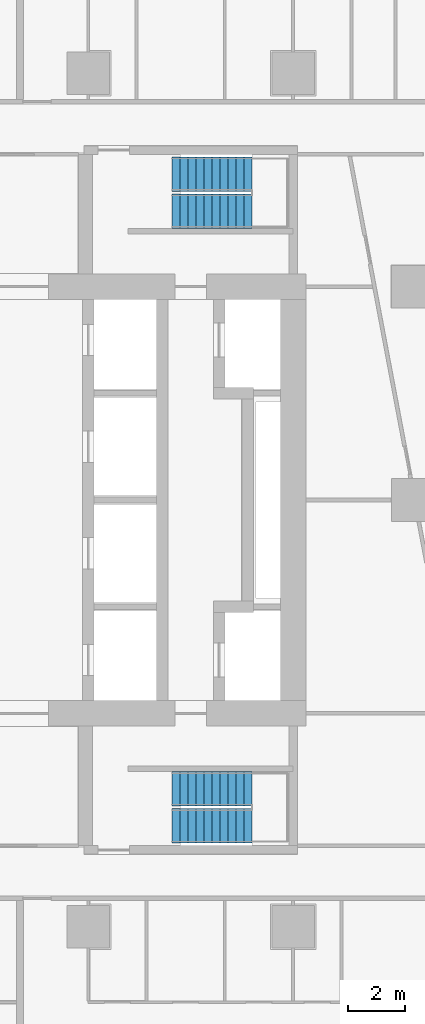
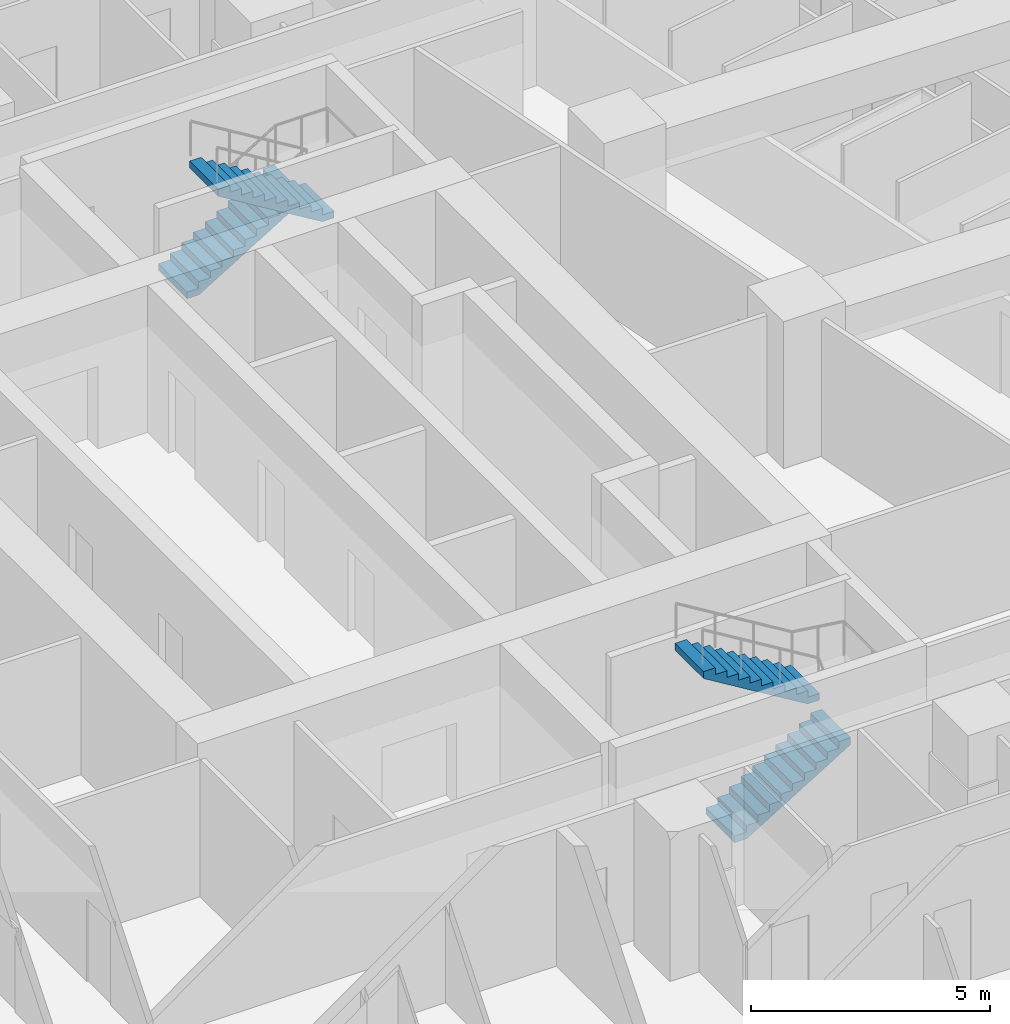
# One storey, part 13 of 15: 4 stair flights, 2 elements without a shape of their own.
"""IFC4 building model written with IfcOpenShell, lengths in metres."""

from ifc_helpers import new_model, si_unit, direction, frame, origin, place, context, subcontext, project, spatial, triangles, material, type_object, element, aggregate, save


model = new_model("IFC4")

# Units and contexts
model_context = context("Model", 3, precision=1e-05, world=origin(), true_north=direction((0.0, 1.0)))
body_context = subcontext(model_context, "Body", "Model", "MODEL_VIEW")
ifc_project = project(units=[si_unit("LENGTHUNIT", "METRE"), si_unit("AREAUNIT", "SQUARE_METRE"), si_unit("VOLUMEUNIT", "CUBIC_METRE"), si_unit("PLANEANGLEUNIT", "RADIAN"), si_unit("MASSUNIT", "GRAM", prefix="KILO")], contexts=[model_context])

# Site, building, storey
site_placement = place(None, origin())
site = spatial("IfcSite", under=ifc_project, at=site_placement, CompositionType="ELEMENT")
building_placement = place(site_placement, origin())
building = spatial("IfcBuilding", under=site, at=building_placement, Name="Sheger Commons Tower", CompositionType="ELEMENT")
storey_placement = place(building_placement, frame((0.0, 0.0, 162.050048828125)))
storey = spatial("IfcBuildingStorey", under=building, at=storey_placement, Name="L41", CompositionType="ELEMENT", Elevation=162.050048828125)

# Stair, stair flights
ifc_material_1 = material(Name="Concrete C35/45", Category="concrete")
stair_type = type_object("IfcStairType", Name="HALF-TURN STAIR 1200 RISE 3750", PredefinedType="HALF_TURN_STAIR", material=ifc_material_1)
stair_1_placement = place(storey_placement, origin())
stair_1 = element("IfcStair", 1, at=stair_1_placement, inside=storey, type_object=stair_type, Name="Stair S1 L41", PredefinedType="HALF_TURN_STAIR")
ifc_material_2 = material(Name="Concrete C35/45", Category="concrete")
stair_flight_type = type_object("IfcStairFlightType", Name="STAIR FLIGHT 1200 11 RISERS OF 170", PredefinedType="STRAIGHT", material=ifc_material_2)
stair_flight_1_placement = place(storey_placement, frame((24.550048828125, 11.050048828125, 0.0), z_axis=(0.0, 0.0, 1.0), x_axis=(1.0, 0.0, 0.0)))
stair_flight_1 = element("IfcStairFlight", 2, at=stair_flight_1_placement, type_object=stair_flight_type, Name="S1 flight 1", NumberOfRisers=11, NumberOfTreads=10, PredefinedType="STRAIGHT", RiserHeight=0.170454545, TreadLength=0.28, context=body_context, shape_type="Tessellation", body=[
    triangles([(0.0, 0.5999755859375, 0.0), (0.0, 0.5999755859375, 0.17041015625), (0.280029296875, 0.5999755859375, 0.17041015625), (0.280029296875, 0.5999755859375, 0.3408203125), (0.56005859375, 0.5999755859375, 0.3408203125), (0.56005859375, 0.5999755859375, 0.511474609375), (0.840087890625, 0.5999755859375, 0.511474609375), (0.840087890625, 0.5999755859375, 0.681884765625), (1.1201171875, 0.5999755859375, 0.681884765625), (1.1201171875, 0.5999755859375, 0.852294921875), (1.39990234375, 0.5999755859375, 0.852294921875), (1.39990234375, 0.5999755859375, 1.022705078125), (1.679931640625, 0.5999755859375, 1.022705078125), (1.679931640625, 0.5999755859375, 1.193115234375), (1.9599609375, 0.5999755859375, 1.193115234375), (1.9599609375, 0.5999755859375, 1.363525390625), (2.239990234375, 0.5999755859375, 1.363525390625), (2.239990234375, 0.5999755859375, 1.5341796875), (2.52001953125, 0.5999755859375, 1.5341796875), (2.52001953125, 0.5999755859375, 1.70458984375), (2.800048828125, 0.5999755859375, 1.70458984375), (2.800048828125, 0.5999755859375, 1.529052734375), (0.288330078125, 0.5999755859375, 0.0), (0.0, -0.5999755859375, 0.0), (0.0, -0.5999755859375, 0.17041015625), (0.280029296875, -0.5999755859375, 0.17041015625), (0.280029296875, -0.5999755859375, 0.3408203125), (0.56005859375, -0.5999755859375, 0.3408203125), (0.56005859375, -0.5999755859375, 0.511474609375), (0.840087890625, -0.5999755859375, 0.511474609375), (0.840087890625, -0.5999755859375, 0.681884765625), (1.1201171875, -0.5999755859375, 0.681884765625), (1.1201171875, -0.5999755859375, 0.852294921875), (1.39990234375, -0.5999755859375, 0.852294921875), (1.39990234375, -0.5999755859375, 1.022705078125), (1.679931640625, -0.5999755859375, 1.022705078125), (1.679931640625, -0.5999755859375, 1.193115234375), (1.9599609375, -0.5999755859375, 1.193115234375), (1.9599609375, -0.5999755859375, 1.363525390625), (2.239990234375, -0.5999755859375, 1.363525390625), (2.239990234375, -0.5999755859375, 1.5341796875), (2.52001953125, -0.5999755859375, 1.5341796875), (2.52001953125, -0.5999755859375, 1.70458984375), (2.800048828125, -0.5999755859375, 1.70458984375), (2.800048828125, -0.5999755859375, 1.529052734375), (0.288330078125, -0.5999755859375, 0.0), (0.0, 0.0, 0.085205078125), (0.1400146484375, 0.0, 0.17041015625), (0.280029296875, 0.0, 0.255615234375), (0.4200439453125, 0.0, 0.3408203125), (0.56005859375, 0.0, 0.4261474609375), (0.7000732421875, 0.0, 0.511474609375), (0.840087890625, 0.0, 0.5966796875), (0.9801025390625, 0.0, 0.681884765625), (1.1201171875, 0.0, 0.76708984375), (1.260009765625, 0.0, 0.852294921875), (1.39990234375, 0.0, 0.9375), (1.5399169921875, 0.0, 1.022705078125), (1.679931640625, 0.0, 1.10791015625), (1.8199462890625, 0.0, 1.193115234375), (1.9599609375, 0.0, 1.2783203125), (2.0999755859375, 0.0, 1.363525390625), (2.239990234375, 0.0, 1.4488525390625), (2.3800048828125, 0.0, 1.5341796875), (2.52001953125, 0.0, 1.619384765625), (2.6600341796875, 0.0, 1.70458984375), (2.800048828125, 0.0, 1.6168212890625), (1.544189453125, 0.0, 0.7645263671875), (0.1441650390625, 0.0, 0.0)], [[1, 22, 23], [24, 46, 45], [22, 20, 21], [45, 44, 43], [22, 19, 20], [45, 43, 42], [22, 18, 19], [45, 42, 41], [22, 17, 18], [45, 41, 40], [17, 15, 16], [40, 39, 38], [22, 15, 17], [45, 40, 38], [15, 13, 14], [38, 37, 36], [22, 13, 15], [45, 38, 36], [13, 11, 12], [36, 35, 34], [22, 11, 13], [45, 36, 34], [11, 9, 10], [34, 33, 32], [22, 9, 11], [45, 34, 32], [9, 7, 8], [32, 31, 30], [22, 7, 9], [45, 32, 30], [7, 5, 6], [30, 29, 28], [22, 5, 7], [45, 30, 28], [5, 3, 4], [28, 27, 26], [22, 3, 5], [45, 28, 26], [1, 3, 22], [24, 45, 26], [3, 1, 2], [26, 25, 24], [1, 47, 2], [2, 47, 25], [25, 47, 24], [24, 47, 1], [2, 48, 3], [3, 48, 26], [26, 48, 25], [25, 48, 2], [3, 49, 4], [4, 49, 27], [27, 49, 26], [26, 49, 3], [4, 50, 5], [5, 50, 28], [28, 50, 27], [27, 50, 4], [5, 51, 6], [6, 51, 29], [29, 51, 28], [28, 51, 5], [6, 52, 7], [7, 52, 30], [30, 52, 29], [29, 52, 6], [7, 53, 8], [8, 53, 31], [31, 53, 30], [30, 53, 7], [8, 54, 9], [9, 54, 32], [32, 54, 31], [31, 54, 8], [9, 55, 10], [10, 55, 33], [33, 55, 32], [32, 55, 9], [10, 56, 11], [11, 56, 34], [34, 56, 33], [33, 56, 10], [11, 57, 12], [12, 57, 35], [35, 57, 34], [34, 57, 11], [12, 58, 13], [13, 58, 36], [36, 58, 35], [35, 58, 12], [13, 59, 14], [14, 59, 37], [37, 59, 36], [36, 59, 13], [14, 60, 15], [15, 60, 38], [38, 60, 37], [37, 60, 14], [15, 61, 16], [16, 61, 39], [39, 61, 38], [38, 61, 15], [16, 62, 17], [17, 62, 40], [40, 62, 39], [39, 62, 16], [17, 63, 18], [18, 63, 41], [41, 63, 40], [40, 63, 17], [18, 64, 19], [19, 64, 42], [42, 64, 41], [41, 64, 18], [19, 65, 20], [20, 65, 43], [43, 65, 42], [42, 65, 19], [20, 66, 21], [21, 66, 44], [44, 66, 43], [43, 66, 20], [21, 67, 22], [22, 67, 45], [45, 67, 44], [44, 67, 21], [22, 68, 23], [23, 68, 46], [46, 68, 45], [45, 68, 22], [23, 69, 1], [1, 69, 24], [24, 69, 46], [46, 69, 23]], closed=True),
])
stair_flight_2_placement = place(storey_placement, frame((27.35009765625, 12.35009765625, 1.875), z_axis=(0.0, 0.0, 1.0), x_axis=(-1.0, 0.0, 0.0)))
stair_flight_2 = element("IfcStairFlight", 3, at=stair_flight_2_placement, type_object=stair_flight_type, Name="S1 flight 2", NumberOfRisers=11, NumberOfTreads=10, PredefinedType="STRAIGHT", RiserHeight=0.170454545, TreadLength=0.28, context=body_context, shape_type="Tessellation", body=[
    triangles([(0.0, 0.5999755859375, 0.0), (0.0, 0.5999755859375, 0.17041015625), (0.280029296875, 0.5999755859375, 0.17041015625), (0.280029296875, 0.5999755859375, 0.3408203125), (0.56005859375, 0.5999755859375, 0.3408203125), (0.56005859375, 0.5999755859375, 0.511474609375), (0.840087890625, 0.5999755859375, 0.511474609375), (0.840087890625, 0.5999755859375, 0.681884765625), (1.1201171875, 0.5999755859375, 0.681884765625), (1.1201171875, 0.5999755859375, 0.852294921875), (1.39990234375, 0.5999755859375, 0.852294921875), (1.39990234375, 0.5999755859375, 1.022705078125), (1.679931640625, 0.5999755859375, 1.022705078125), (1.679931640625, 0.5999755859375, 1.193115234375), (1.9599609375, 0.5999755859375, 1.193115234375), (1.9599609375, 0.5999755859375, 1.363525390625), (2.239990234375, 0.5999755859375, 1.363525390625), (2.239990234375, 0.5999755859375, 1.5341796875), (2.52001953125, 0.5999755859375, 1.5341796875), (2.52001953125, 0.5999755859375, 1.70458984375), (2.800048828125, 0.5999755859375, 1.70458984375), (2.800048828125, 0.5999755859375, 1.529052734375), (0.288330078125, 0.5999755859375, 0.0), (0.0, -0.5999755859375, 0.0), (0.0, -0.5999755859375, 0.17041015625), (0.280029296875, -0.5999755859375, 0.17041015625), (0.280029296875, -0.5999755859375, 0.3408203125), (0.56005859375, -0.5999755859375, 0.3408203125), (0.56005859375, -0.5999755859375, 0.511474609375), (0.840087890625, -0.5999755859375, 0.511474609375), (0.840087890625, -0.5999755859375, 0.681884765625), (1.1201171875, -0.5999755859375, 0.681884765625), (1.1201171875, -0.5999755859375, 0.852294921875), (1.39990234375, -0.5999755859375, 0.852294921875), (1.39990234375, -0.5999755859375, 1.022705078125), (1.679931640625, -0.5999755859375, 1.022705078125), (1.679931640625, -0.5999755859375, 1.193115234375), (1.9599609375, -0.5999755859375, 1.193115234375), (1.9599609375, -0.5999755859375, 1.363525390625), (2.239990234375, -0.5999755859375, 1.363525390625), (2.239990234375, -0.5999755859375, 1.5341796875), (2.52001953125, -0.5999755859375, 1.5341796875), (2.52001953125, -0.5999755859375, 1.70458984375), (2.800048828125, -0.5999755859375, 1.70458984375), (2.800048828125, -0.5999755859375, 1.529052734375), (0.288330078125, -0.5999755859375, 0.0), (0.0, 0.0, 0.085205078125), (0.1400146484375, 0.0, 0.17041015625), (0.280029296875, 0.0, 0.255615234375), (0.4200439453125, 0.0, 0.3408203125), (0.56005859375, 0.0, 0.4261474609375), (0.7000732421875, 0.0, 0.511474609375), (0.840087890625, 0.0, 0.5966796875), (0.9801025390625, 0.0, 0.681884765625), (1.1201171875, 0.0, 0.76708984375), (1.260009765625, 0.0, 0.852294921875), (1.39990234375, 0.0, 0.9375), (1.5399169921875, 0.0, 1.022705078125), (1.679931640625, 0.0, 1.10791015625), (1.8199462890625, 0.0, 1.193115234375), (1.9599609375, 0.0, 1.2783203125), (2.0999755859375, 0.0, 1.363525390625), (2.239990234375, 0.0, 1.4488525390625), (2.3800048828125, 0.0, 1.5341796875), (2.52001953125, 0.0, 1.619384765625), (2.6600341796875, 0.0, 1.70458984375), (2.800048828125, 0.0, 1.6168212890625), (1.544189453125, 0.0, 0.7645263671875), (0.1441650390625, 0.0, 0.0)], [[1, 22, 23], [24, 46, 45], [22, 20, 21], [45, 44, 43], [22, 19, 20], [45, 43, 42], [22, 18, 19], [45, 42, 41], [22, 17, 18], [45, 41, 40], [17, 15, 16], [40, 39, 38], [22, 15, 17], [45, 40, 38], [15, 13, 14], [38, 37, 36], [22, 13, 15], [45, 38, 36], [13, 11, 12], [36, 35, 34], [22, 11, 13], [45, 36, 34], [11, 9, 10], [34, 33, 32], [22, 9, 11], [45, 34, 32], [9, 7, 8], [32, 31, 30], [22, 7, 9], [45, 32, 30], [7, 5, 6], [30, 29, 28], [22, 5, 7], [45, 30, 28], [5, 3, 4], [28, 27, 26], [22, 3, 5], [45, 28, 26], [1, 3, 22], [24, 45, 26], [3, 1, 2], [26, 25, 24], [1, 47, 2], [2, 47, 25], [25, 47, 24], [24, 47, 1], [2, 48, 3], [3, 48, 26], [26, 48, 25], [25, 48, 2], [3, 49, 4], [4, 49, 27], [27, 49, 26], [26, 49, 3], [4, 50, 5], [5, 50, 28], [28, 50, 27], [27, 50, 4], [5, 51, 6], [6, 51, 29], [29, 51, 28], [28, 51, 5], [6, 52, 7], [7, 52, 30], [30, 52, 29], [29, 52, 6], [7, 53, 8], [8, 53, 31], [31, 53, 30], [30, 53, 7], [8, 54, 9], [9, 54, 32], [32, 54, 31], [31, 54, 8], [9, 55, 10], [10, 55, 33], [33, 55, 32], [32, 55, 9], [10, 56, 11], [11, 56, 34], [34, 56, 33], [33, 56, 10], [11, 57, 12], [12, 57, 35], [35, 57, 34], [34, 57, 11], [12, 58, 13], [13, 58, 36], [36, 58, 35], [35, 58, 12], [13, 59, 14], [14, 59, 37], [37, 59, 36], [36, 59, 13], [14, 60, 15], [15, 60, 38], [38, 60, 37], [37, 60, 14], [15, 61, 16], [16, 61, 39], [39, 61, 38], [38, 61, 15], [16, 62, 17], [17, 62, 40], [40, 62, 39], [39, 62, 16], [17, 63, 18], [18, 63, 41], [41, 63, 40], [40, 63, 17], [18, 64, 19], [19, 64, 42], [42, 64, 41], [41, 64, 18], [19, 65, 20], [20, 65, 43], [43, 65, 42], [42, 65, 19], [20, 66, 21], [21, 66, 44], [44, 66, 43], [43, 66, 20], [21, 67, 22], [22, 67, 45], [45, 67, 44], [44, 67, 21], [22, 68, 23], [23, 68, 46], [46, 68, 45], [45, 68, 22], [23, 69, 1], [1, 69, 24], [24, 69, 46], [46, 69, 23]], closed=True),
])
aggregate(stair_1, [stair_flight_1, stair_flight_2])

stair_2_placement = place(storey_placement, origin())
stair_2 = element("IfcStair", 4, at=stair_2_placement, inside=storey, type_object=stair_type, Name="Stair S2 L41", PredefinedType="HALF_TURN_STAIR")
stair_flight_3_placement = place(storey_placement, frame((24.550048828125, 33.949951171875, 0.0), z_axis=(0.0, 0.0, 1.0), x_axis=(1.0, 0.0, 0.0)))
stair_flight_3 = element("IfcStairFlight", 5, at=stair_flight_3_placement, type_object=stair_flight_type, Name="S2 flight 1", NumberOfRisers=11, NumberOfTreads=10, PredefinedType="STRAIGHT", RiserHeight=0.170454545, TreadLength=0.28, context=body_context, shape_type="Tessellation", body=[
    triangles([(0.0, 0.5999755859375, 0.0), (0.0, 0.5999755859375, 0.17041015625), (0.280029296875, 0.5999755859375, 0.17041015625), (0.280029296875, 0.5999755859375, 0.3408203125), (0.56005859375, 0.5999755859375, 0.3408203125), (0.56005859375, 0.5999755859375, 0.511474609375), (0.840087890625, 0.5999755859375, 0.511474609375), (0.840087890625, 0.5999755859375, 0.681884765625), (1.1201171875, 0.5999755859375, 0.681884765625), (1.1201171875, 0.5999755859375, 0.852294921875), (1.39990234375, 0.5999755859375, 0.852294921875), (1.39990234375, 0.5999755859375, 1.022705078125), (1.679931640625, 0.5999755859375, 1.022705078125), (1.679931640625, 0.5999755859375, 1.193115234375), (1.9599609375, 0.5999755859375, 1.193115234375), (1.9599609375, 0.5999755859375, 1.363525390625), (2.239990234375, 0.5999755859375, 1.363525390625), (2.239990234375, 0.5999755859375, 1.5341796875), (2.52001953125, 0.5999755859375, 1.5341796875), (2.52001953125, 0.5999755859375, 1.70458984375), (2.800048828125, 0.5999755859375, 1.70458984375), (2.800048828125, 0.5999755859375, 1.529052734375), (0.288330078125, 0.5999755859375, 0.0), (0.0, -0.5999755859375, 0.0), (0.0, -0.5999755859375, 0.17041015625), (0.280029296875, -0.5999755859375, 0.17041015625), (0.280029296875, -0.5999755859375, 0.3408203125), (0.56005859375, -0.5999755859375, 0.3408203125), (0.56005859375, -0.5999755859375, 0.511474609375), (0.840087890625, -0.5999755859375, 0.511474609375), (0.840087890625, -0.5999755859375, 0.681884765625), (1.1201171875, -0.5999755859375, 0.681884765625), (1.1201171875, -0.5999755859375, 0.852294921875), (1.39990234375, -0.5999755859375, 0.852294921875), (1.39990234375, -0.5999755859375, 1.022705078125), (1.679931640625, -0.5999755859375, 1.022705078125), (1.679931640625, -0.5999755859375, 1.193115234375), (1.9599609375, -0.5999755859375, 1.193115234375), (1.9599609375, -0.5999755859375, 1.363525390625), (2.239990234375, -0.5999755859375, 1.363525390625), (2.239990234375, -0.5999755859375, 1.5341796875), (2.52001953125, -0.5999755859375, 1.5341796875), (2.52001953125, -0.5999755859375, 1.70458984375), (2.800048828125, -0.5999755859375, 1.70458984375), (2.800048828125, -0.5999755859375, 1.529052734375), (0.288330078125, -0.5999755859375, 0.0), (0.0, 0.0, 0.085205078125), (0.1400146484375, 0.0, 0.17041015625), (0.280029296875, 0.0, 0.255615234375), (0.4200439453125, 0.0, 0.3408203125), (0.56005859375, 0.0, 0.4261474609375), (0.7000732421875, 0.0, 0.511474609375), (0.840087890625, 0.0, 0.5966796875), (0.9801025390625, 0.0, 0.681884765625), (1.1201171875, 0.0, 0.76708984375), (1.260009765625, 0.0, 0.852294921875), (1.39990234375, 0.0, 0.9375), (1.5399169921875, 0.0, 1.022705078125), (1.679931640625, 0.0, 1.10791015625), (1.8199462890625, 0.0, 1.193115234375), (1.9599609375, 0.0, 1.2783203125), (2.0999755859375, 0.0, 1.363525390625), (2.239990234375, 0.0, 1.4488525390625), (2.3800048828125, 0.0, 1.5341796875), (2.52001953125, 0.0, 1.619384765625), (2.6600341796875, 0.0, 1.70458984375), (2.800048828125, 0.0, 1.6168212890625), (1.544189453125, 0.0, 0.7645263671875), (0.1441650390625, 0.0, 0.0)], [[1, 22, 23], [24, 46, 45], [22, 20, 21], [45, 44, 43], [22, 19, 20], [45, 43, 42], [22, 18, 19], [45, 42, 41], [22, 17, 18], [45, 41, 40], [17, 15, 16], [40, 39, 38], [22, 15, 17], [45, 40, 38], [15, 13, 14], [38, 37, 36], [22, 13, 15], [45, 38, 36], [13, 11, 12], [36, 35, 34], [22, 11, 13], [45, 36, 34], [11, 9, 10], [34, 33, 32], [22, 9, 11], [45, 34, 32], [9, 7, 8], [32, 31, 30], [22, 7, 9], [45, 32, 30], [7, 5, 6], [30, 29, 28], [22, 5, 7], [45, 30, 28], [5, 3, 4], [28, 27, 26], [22, 3, 5], [45, 28, 26], [1, 3, 22], [24, 45, 26], [3, 1, 2], [26, 25, 24], [1, 47, 2], [2, 47, 25], [25, 47, 24], [24, 47, 1], [2, 48, 3], [3, 48, 26], [26, 48, 25], [25, 48, 2], [3, 49, 4], [4, 49, 27], [27, 49, 26], [26, 49, 3], [4, 50, 5], [5, 50, 28], [28, 50, 27], [27, 50, 4], [5, 51, 6], [6, 51, 29], [29, 51, 28], [28, 51, 5], [6, 52, 7], [7, 52, 30], [30, 52, 29], [29, 52, 6], [7, 53, 8], [8, 53, 31], [31, 53, 30], [30, 53, 7], [8, 54, 9], [9, 54, 32], [32, 54, 31], [31, 54, 8], [9, 55, 10], [10, 55, 33], [33, 55, 32], [32, 55, 9], [10, 56, 11], [11, 56, 34], [34, 56, 33], [33, 56, 10], [11, 57, 12], [12, 57, 35], [35, 57, 34], [34, 57, 11], [12, 58, 13], [13, 58, 36], [36, 58, 35], [35, 58, 12], [13, 59, 14], [14, 59, 37], [37, 59, 36], [36, 59, 13], [14, 60, 15], [15, 60, 38], [38, 60, 37], [37, 60, 14], [15, 61, 16], [16, 61, 39], [39, 61, 38], [38, 61, 15], [16, 62, 17], [17, 62, 40], [40, 62, 39], [39, 62, 16], [17, 63, 18], [18, 63, 41], [41, 63, 40], [40, 63, 17], [18, 64, 19], [19, 64, 42], [42, 64, 41], [41, 64, 18], [19, 65, 20], [20, 65, 43], [43, 65, 42], [42, 65, 19], [20, 66, 21], [21, 66, 44], [44, 66, 43], [43, 66, 20], [21, 67, 22], [22, 67, 45], [45, 67, 44], [44, 67, 21], [22, 68, 23], [23, 68, 46], [46, 68, 45], [45, 68, 22], [23, 69, 1], [1, 69, 24], [24, 69, 46], [46, 69, 23]], closed=True),
])
stair_flight_4_placement = place(storey_placement, frame((27.35009765625, 32.64990234375, 1.875), z_axis=(0.0, 0.0, 1.0), x_axis=(-1.0, 0.0, 0.0)))
stair_flight_4 = element("IfcStairFlight", 6, at=stair_flight_4_placement, type_object=stair_flight_type, Name="S2 flight 2", NumberOfRisers=11, NumberOfTreads=10, PredefinedType="STRAIGHT", RiserHeight=0.170454545, TreadLength=0.28, context=body_context, shape_type="Tessellation", body=[
    triangles([(0.0, 0.5999755859375, 0.0), (0.0, 0.5999755859375, 0.17041015625), (0.280029296875, 0.5999755859375, 0.17041015625), (0.280029296875, 0.5999755859375, 0.3408203125), (0.56005859375, 0.5999755859375, 0.3408203125), (0.56005859375, 0.5999755859375, 0.511474609375), (0.840087890625, 0.5999755859375, 0.511474609375), (0.840087890625, 0.5999755859375, 0.681884765625), (1.1201171875, 0.5999755859375, 0.681884765625), (1.1201171875, 0.5999755859375, 0.852294921875), (1.39990234375, 0.5999755859375, 0.852294921875), (1.39990234375, 0.5999755859375, 1.022705078125), (1.679931640625, 0.5999755859375, 1.022705078125), (1.679931640625, 0.5999755859375, 1.193115234375), (1.9599609375, 0.5999755859375, 1.193115234375), (1.9599609375, 0.5999755859375, 1.363525390625), (2.239990234375, 0.5999755859375, 1.363525390625), (2.239990234375, 0.5999755859375, 1.5341796875), (2.52001953125, 0.5999755859375, 1.5341796875), (2.52001953125, 0.5999755859375, 1.70458984375), (2.800048828125, 0.5999755859375, 1.70458984375), (2.800048828125, 0.5999755859375, 1.529052734375), (0.288330078125, 0.5999755859375, 0.0), (0.0, -0.5999755859375, 0.0), (0.0, -0.5999755859375, 0.17041015625), (0.280029296875, -0.5999755859375, 0.17041015625), (0.280029296875, -0.5999755859375, 0.3408203125), (0.56005859375, -0.5999755859375, 0.3408203125), (0.56005859375, -0.5999755859375, 0.511474609375), (0.840087890625, -0.5999755859375, 0.511474609375), (0.840087890625, -0.5999755859375, 0.681884765625), (1.1201171875, -0.5999755859375, 0.681884765625), (1.1201171875, -0.5999755859375, 0.852294921875), (1.39990234375, -0.5999755859375, 0.852294921875), (1.39990234375, -0.5999755859375, 1.022705078125), (1.679931640625, -0.5999755859375, 1.022705078125), (1.679931640625, -0.5999755859375, 1.193115234375), (1.9599609375, -0.5999755859375, 1.193115234375), (1.9599609375, -0.5999755859375, 1.363525390625), (2.239990234375, -0.5999755859375, 1.363525390625), (2.239990234375, -0.5999755859375, 1.5341796875), (2.52001953125, -0.5999755859375, 1.5341796875), (2.52001953125, -0.5999755859375, 1.70458984375), (2.800048828125, -0.5999755859375, 1.70458984375), (2.800048828125, -0.5999755859375, 1.529052734375), (0.288330078125, -0.5999755859375, 0.0), (0.0, 0.0, 0.085205078125), (0.1400146484375, 0.0, 0.17041015625), (0.280029296875, 0.0, 0.255615234375), (0.4200439453125, 0.0, 0.3408203125), (0.56005859375, 0.0, 0.4261474609375), (0.7000732421875, 0.0, 0.511474609375), (0.840087890625, 0.0, 0.5966796875), (0.9801025390625, 0.0, 0.681884765625), (1.1201171875, 0.0, 0.76708984375), (1.260009765625, 0.0, 0.852294921875), (1.39990234375, 0.0, 0.9375), (1.5399169921875, 0.0, 1.022705078125), (1.679931640625, 0.0, 1.10791015625), (1.8199462890625, 0.0, 1.193115234375), (1.9599609375, 0.0, 1.2783203125), (2.0999755859375, 0.0, 1.363525390625), (2.239990234375, 0.0, 1.4488525390625), (2.3800048828125, 0.0, 1.5341796875), (2.52001953125, 0.0, 1.619384765625), (2.6600341796875, 0.0, 1.70458984375), (2.800048828125, 0.0, 1.6168212890625), (1.544189453125, 0.0, 0.7645263671875), (0.1441650390625, 0.0, 0.0)], [[1, 22, 23], [24, 46, 45], [22, 20, 21], [45, 44, 43], [22, 19, 20], [45, 43, 42], [22, 18, 19], [45, 42, 41], [22, 17, 18], [45, 41, 40], [17, 15, 16], [40, 39, 38], [22, 15, 17], [45, 40, 38], [15, 13, 14], [38, 37, 36], [22, 13, 15], [45, 38, 36], [13, 11, 12], [36, 35, 34], [22, 11, 13], [45, 36, 34], [11, 9, 10], [34, 33, 32], [22, 9, 11], [45, 34, 32], [9, 7, 8], [32, 31, 30], [22, 7, 9], [45, 32, 30], [7, 5, 6], [30, 29, 28], [22, 5, 7], [45, 30, 28], [5, 3, 4], [28, 27, 26], [22, 3, 5], [45, 28, 26], [1, 3, 22], [24, 45, 26], [3, 1, 2], [26, 25, 24], [1, 47, 2], [2, 47, 25], [25, 47, 24], [24, 47, 1], [2, 48, 3], [3, 48, 26], [26, 48, 25], [25, 48, 2], [3, 49, 4], [4, 49, 27], [27, 49, 26], [26, 49, 3], [4, 50, 5], [5, 50, 28], [28, 50, 27], [27, 50, 4], [5, 51, 6], [6, 51, 29], [29, 51, 28], [28, 51, 5], [6, 52, 7], [7, 52, 30], [30, 52, 29], [29, 52, 6], [7, 53, 8], [8, 53, 31], [31, 53, 30], [30, 53, 7], [8, 54, 9], [9, 54, 32], [32, 54, 31], [31, 54, 8], [9, 55, 10], [10, 55, 33], [33, 55, 32], [32, 55, 9], [10, 56, 11], [11, 56, 34], [34, 56, 33], [33, 56, 10], [11, 57, 12], [12, 57, 35], [35, 57, 34], [34, 57, 11], [12, 58, 13], [13, 58, 36], [36, 58, 35], [35, 58, 12], [13, 59, 14], [14, 59, 37], [37, 59, 36], [36, 59, 13], [14, 60, 15], [15, 60, 38], [38, 60, 37], [37, 60, 14], [15, 61, 16], [16, 61, 39], [39, 61, 38], [38, 61, 15], [16, 62, 17], [17, 62, 40], [40, 62, 39], [39, 62, 16], [17, 63, 18], [18, 63, 41], [41, 63, 40], [40, 63, 17], [18, 64, 19], [19, 64, 42], [42, 64, 41], [41, 64, 18], [19, 65, 20], [20, 65, 43], [43, 65, 42], [42, 65, 19], [20, 66, 21], [21, 66, 44], [44, 66, 43], [43, 66, 20], [21, 67, 22], [22, 67, 45], [45, 67, 44], [44, 67, 21], [22, 68, 23], [23, 68, 46], [46, 68, 45], [45, 68, 22], [23, 69, 1], [1, 69, 24], [24, 69, 46], [46, 69, 23]], closed=True),
])
aggregate(stair_2, [stair_flight_3, stair_flight_4])

save(model, "model.ifc")
